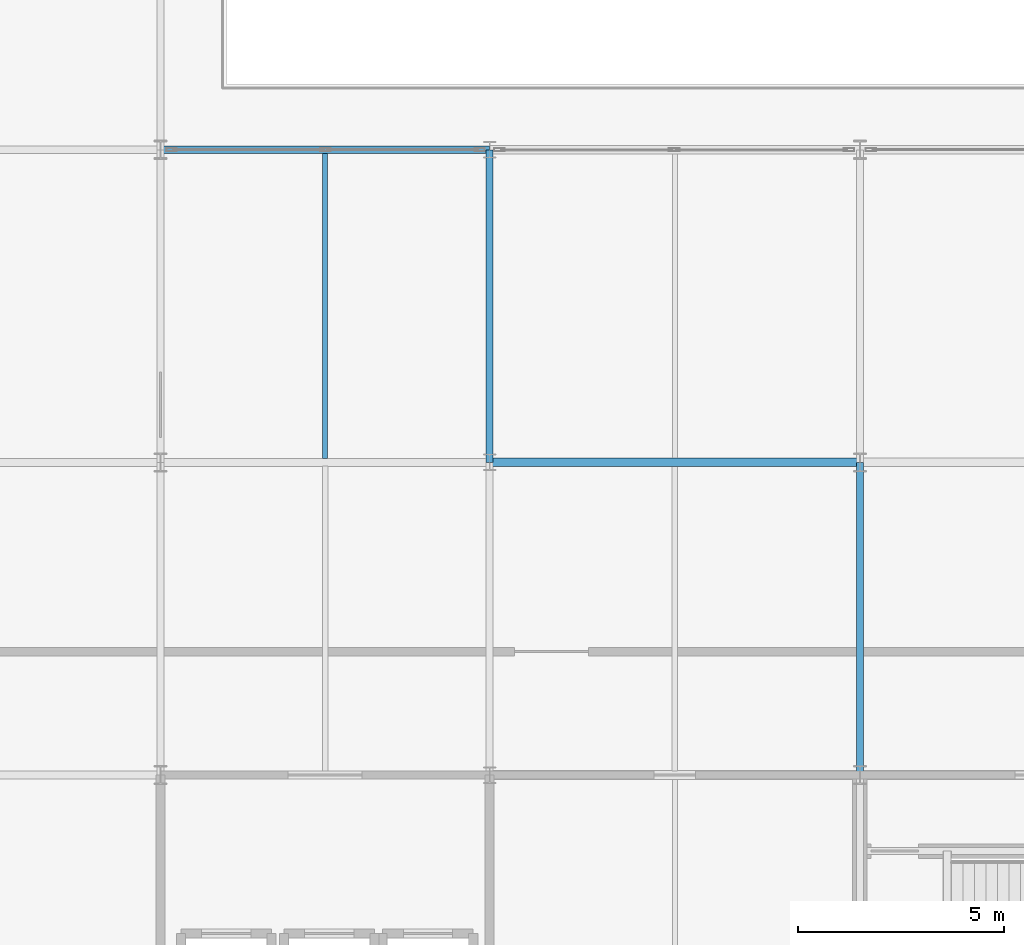
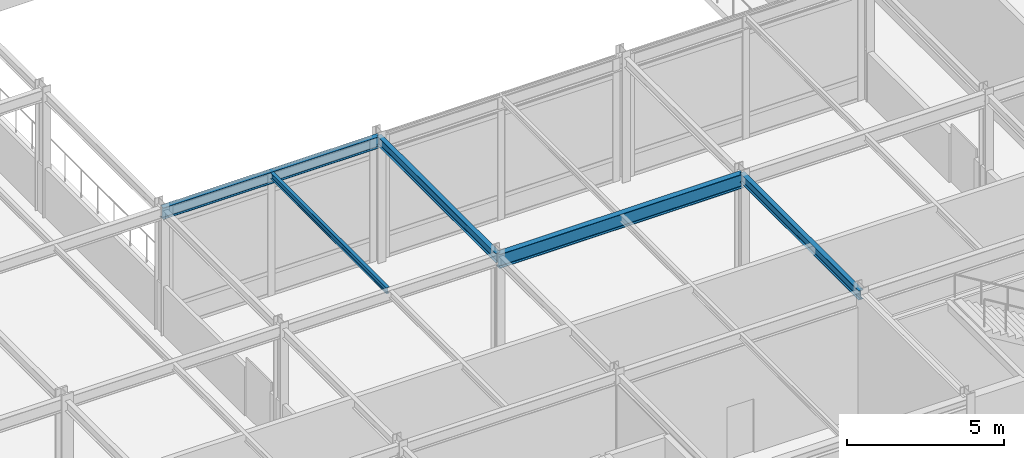
# One storey, part 29 of 113: 5 beams.
"""IFC4 building model written with IfcOpenShell, lengths in metres."""

from ifc_helpers import new_model, si_unit, direction, frame, origin, origin_2d, place, context, subcontext, project, spatial, i_section, extrude, material, material_profile, profile_set, type_object, element, save


model = new_model("IFC4")

# Units and contexts
model_context = context("Model", 3, precision=1e-05, world=origin(), true_north=direction((0.0, 1.0)))
body_context = subcontext(model_context, "Body", "Model", "MODEL_VIEW")
ifc_project = project(units=[si_unit("LENGTHUNIT", "METRE"), si_unit("AREAUNIT", "SQUARE_METRE"), si_unit("VOLUMEUNIT", "CUBIC_METRE"), si_unit("PLANEANGLEUNIT", "RADIAN"), si_unit("MASSUNIT", "GRAM", prefix="KILO")], contexts=[model_context])

# Site, building, storey
site_placement = place(None, origin())
site = spatial("IfcSite", under=ifc_project, at=site_placement, CompositionType="ELEMENT")
building_placement = place(site_placement, origin())
building = spatial("IfcBuilding", under=site, at=building_placement, Name="Shalkamar Park Central Library", CompositionType="ELEMENT")
storey_placement = place(building_placement, frame((0.0, 0.0, 5.39990234375)))
storey = spatial("IfcBuildingStorey", under=building, at=storey_placement, Name="L02", CompositionType="ELEMENT", Elevation=5.39990234375)

# Beams
ifc_material = material(Name="Steel S355", Category="steel")
ifc_material_profile_1 = material_profile(ifc_material, i_section(OverallWidth=0.1201171875, OverallDepth=0.239990234375, WebThickness=0.006103515625, FlangeThickness=0.009765625, FilletRadius=0.014892578125, at=origin_2d()), Name="IPE 240")
ifc_profile_set_1 = profile_set([ifc_material_profile_1], Name="Steel S355")
beam_type_1 = type_object("IfcBeamType", Name="Composite Floor Joist IPE240", PredefinedType="JOIST", material=ifc_profile_set_1)
beam_1_placement = place(storey_placement, frame((233.0, 262.89306640625, 4.739990234375), z_axis=(0.0, 1.0, 0.0), x_axis=(-1.0, 0.0, 0.0)))
element("IfcBeam", 1, at=beam_1_placement, inside=storey, type_object=beam_type_1, Name="Composite Joist 15/D-1 (L02)", PredefinedType="JOIST", context=body_context, shape_type="SweptSolid", body=[
    extrude(i_section(OverallWidth=0.1201171875, OverallDepth=0.239990234375, WebThickness=0.006103515625, FlangeThickness=0.009765625, FilletRadius=0.014892578125, at=origin_2d()), origin(), (0.0, 0.0, 1.0), 7.413818359375),
])
ifc_material_profile_2 = material_profile(ifc_material, i_section(OverallWidth=0.169921875, OverallDepth=0.360107421875, WebThickness=0.008056640625, FlangeThickness=0.0126953125, FilletRadius=0.01806640625, at=origin_2d()), Name="IPE 360")
ifc_profile_set_2 = profile_set([ifc_material_profile_2], Name="Steel S355")
beam_type_2 = type_object("IfcBeamType", Name="Primary Girder IPE360", PredefinedType="BEAM", material=ifc_profile_set_2)
beam_2_placement = place(storey_placement, frame((237.0, 262.800048828125, 4.68017578125), z_axis=(0.0, 1.0, 0.0), x_axis=(-1.0, 0.0, 0.0)))
element("IfcBeam", 2, at=beam_2_placement, inside=storey, type_object=beam_type_2, Name="Beam 16:D-E (L02)", PredefinedType="BEAM", context=body_context, shape_type="SweptSolid", body=[
    extrude(i_section(OverallWidth=0.169921875, OverallDepth=0.360107421875, WebThickness=0.008056640625, FlangeThickness=0.0126953125, FilletRadius=0.01806640625, at=origin_2d()), origin(), (0.0, 0.0, 1.0), 7.599853515625),
])
beam_3_placement = place(storey_placement, frame((246.0, 255.199951171875, 4.68017578125), z_axis=(0.0, 1.0, 0.0), x_axis=(-1.0, 0.0, 0.0)))
element("IfcBeam", 3, at=beam_3_placement, inside=storey, type_object=beam_type_2, Name="Beam 17:C-D (L02)", PredefinedType="BEAM", context=body_context, shape_type="SweptSolid", body=[
    extrude(i_section(OverallWidth=0.169921875, OverallDepth=0.360107421875, WebThickness=0.008056640625, FlangeThickness=0.0126953125, FilletRadius=0.01806640625, at=origin_2d()), origin(), (0.0, 0.0, 1.0), 7.60009765625),
])
ifc_material_profile_3 = material_profile(ifc_material, i_section(OverallWidth=0.18994140625, OverallDepth=0.449951171875, WebThickness=0.009521484375, FlangeThickness=0.0146484375, FilletRadius=0.02099609375, at=origin_2d()), Name="IPE 450")
ifc_profile_set_3 = profile_set([ifc_material_profile_3], Name="Steel S355")
beam_type_3 = type_object("IfcBeamType", Name="Primary Girder IPE450", PredefinedType="BEAM", material=ifc_profile_set_3)
beam_4_placement = place(storey_placement, frame((229.0, 270.39990234375, 4.635009765625), z_axis=(1.0, 0.0, 0.0), x_axis=(0.0, 1.0, 0.0)))
element("IfcBeam", 4, at=beam_4_placement, inside=storey, type_object=beam_type_3, Name="Beam E:15-16 (L02)", PredefinedType="BEAM", context=body_context, shape_type="SweptSolid", body=[
    extrude(i_section(OverallWidth=0.18994140625, OverallDepth=0.449951171875, WebThickness=0.009521484375, FlangeThickness=0.0146484375, FilletRadius=0.02099609375, at=origin_2d()), origin(), (0.0, 0.0, 1.0), 8.0),
])
ifc_material_profile_4 = material_profile(ifc_material, i_section(OverallWidth=0.2099609375, OverallDepth=0.550048828125, WebThickness=0.010986328125, FlangeThickness=0.01708984375, FilletRadius=0.02392578125, at=origin_2d()), Name="IPE 550")
ifc_profile_set_4 = profile_set([ifc_material_profile_4], Name="Steel S355")
beam_type_4 = type_object("IfcBeamType", Name="Primary Girder IPE550", PredefinedType="BEAM", material=ifc_profile_set_4)
beam_5_placement = place(storey_placement, frame((237.0, 262.800048828125, 4.585205078125), z_axis=(1.0, 0.0, 0.0), x_axis=(0.0, 1.0, 0.0)))
element("IfcBeam", 5, at=beam_5_placement, inside=storey, type_object=beam_type_4, Name="Beam D:16-17 (L02)", PredefinedType="BEAM", context=body_context, shape_type="SweptSolid", body=[
    extrude(i_section(OverallWidth=0.2099609375, OverallDepth=0.550048828125, WebThickness=0.010986328125, FlangeThickness=0.01708984375, FilletRadius=0.02392578125, at=origin_2d()), origin(), (0.0, 0.0, 1.0), 9.0),
])

save(model, "model.ifc")
